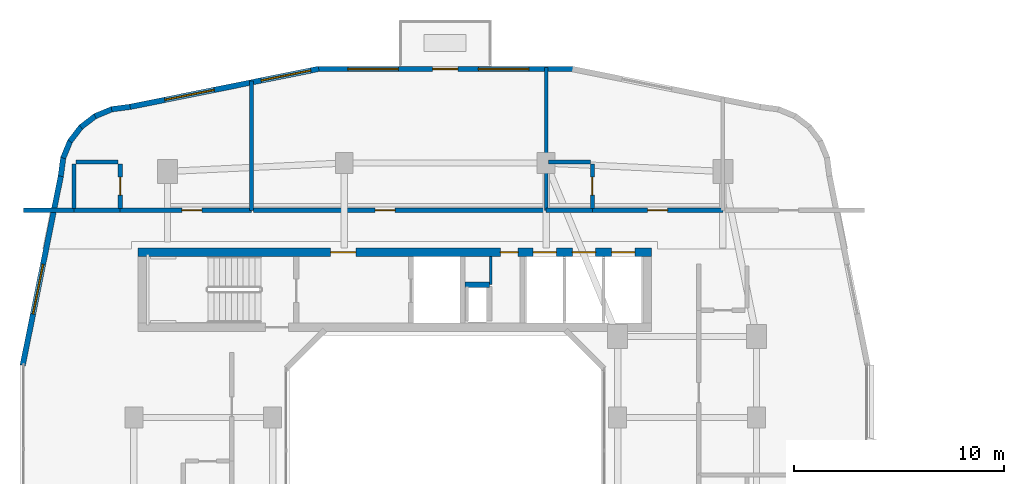
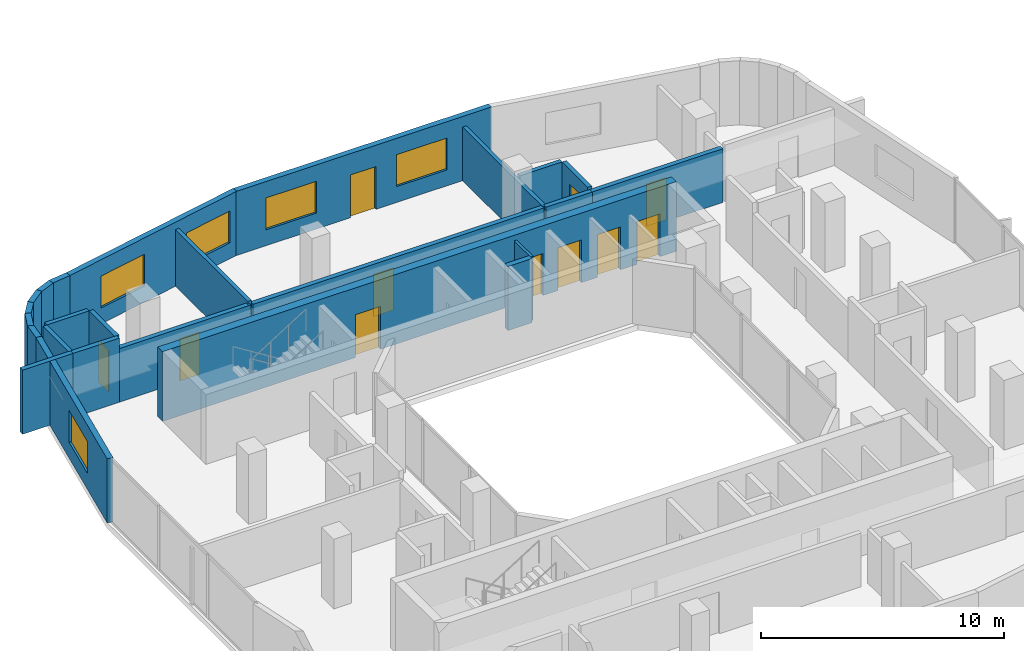
# One storey, part 11 of 22: 25 walls, 11 doors, 5 windows, 16 openings.
"""IFC4 building model written with IfcOpenShell, lengths in metres."""

from ifc_helpers import new_model, si_unit, derived_unit, direction, frame, frame_2d, origin, place, context, subcontext, project, spatial, rectangle, extrude, material, layer, layer_set, type_object, element, fill, save


model = new_model("IFC4")

# Units and contexts
model_context = context("Model", 3, precision=1e-05, world=origin(), true_north=direction((0.0, 1.0)))
body_context = subcontext(model_context, "Body", "Model", "MODEL_VIEW")
ifc_project = project(units=[si_unit("LENGTHUNIT", "METRE"), si_unit("AREAUNIT", "SQUARE_METRE"), si_unit("VOLUMEUNIT", "CUBIC_METRE"), si_unit("PLANEANGLEUNIT", "RADIAN"), si_unit("MASSUNIT", "GRAM", prefix="KILO"), derived_unit("THERMALTRANSMITTANCEUNIT", [(si_unit("POWERUNIT", "WATT"), 1), (si_unit("LENGTHUNIT", "METRE"), -2), (si_unit("THERMODYNAMICTEMPERATUREUNIT", "KELVIN"), -1)])], contexts=[model_context])

# Site, building, storey
site_placement = place(None, origin())
site = spatial("IfcSite", under=ifc_project, at=site_placement, CompositionType="ELEMENT")
building_placement = place(site_placement, origin())
building = spatial("IfcBuilding", under=site, at=building_placement, Name="Kivonza Crest Hotel", CompositionType="ELEMENT")
storey_placement = place(building_placement, frame((0.0, 0.0, 112.5)))
storey = spatial("IfcBuildingStorey", under=building, at=storey_placement, Name="L30", CompositionType="ELEMENT", Elevation=112.5)

# Walls
ifc_material_1 = material(Name="High-density acoustic masonry inter-tenancy wall", Category="masonry")
ifc_layer_1 = layer(ifc_material_1, 0.179931640625)
ifc_layer_set_1 = layer_set([ifc_layer_1], Name="High-density acoustic masonry inter-tenancy wall")
wall_type_1 = type_object("IfcWallType", Name="WL-ACOU-180", PredefinedType="SOLIDWALL", material=ifc_layer_set_1)
wall_1_placement = place(storey_placement, frame((11.800048828125, 38.35009765625, 0.0), z_axis=(0.0, 0.0, 1.0), x_axis=(0.0, 1.0, 0.0)))
element("IfcWall", 1, at=wall_1_placement, inside=storey, type_object=wall_type_1, Name="L30 interior partition WA-L30-T1N-DIV1", PredefinedType="SOLIDWALL", context=body_context, shape_type="SweptSolid", body=[
    extrude(rectangle(XDim=6.156982421875, YDim=0.179931640625, at=frame_2d((3.07861328125, 0.0))), origin(), (0.0, 0.0, 1.0), 2.8349609375),
])
wall_2_placement = place(storey_placement, frame((25.800048828125, 38.35009765625, 0.0), z_axis=(0.0, 0.0, 1.0), x_axis=(0.0, 1.0, 0.0)))
element("IfcWall", 2, at=wall_2_placement, inside=storey, type_object=wall_type_1, Name="L30 interior partition WA-L30-T1N-DIV2", PredefinedType="SOLIDWALL", context=body_context, shape_type="SweptSolid", body=[
    extrude(rectangle(XDim=6.789794921875, YDim=0.179931640625, at=frame_2d((3.39501953125, 0.0))), origin(), (0.0, 0.0, 1.0), 2.695068359375),
])
ifc_material_2 = material(Name="Autoclaved aerated concrete blockwork", Category="masonry")
ifc_layer_2 = layer(ifc_material_2, 0.219970703125)
ifc_layer_set_2 = layer_set([ifc_layer_2], Name="Autoclaved aerated concrete blockwork")
wall_type_2 = type_object("IfcWallType", Name="WL-ACOU-220", PredefinedType="SOLIDWALL", material=ifc_layer_set_2)
wall_3_placement = place(storey_placement, frame((0.9599609375, 38.35009765625, 0.0), z_axis=(0.0, 0.0, 1.0), x_axis=(1.0, 0.0, 0.0)))
element("IfcWall", 3, at=wall_3_placement, inside=storey, type_object=wall_type_2, Name="L30 interior partition WA-L30-N01-XCORR", PredefinedType="SOLIDWALL", context=body_context, shape_type="SweptSolid", body=[
    extrude(rectangle(XDim=2.39013671875, YDim=0.219970703125, at=frame_2d((1.195068359375, 0.0))), origin(), (0.0, 0.0, 1.0), 3.219970703125),
])
wall_4_placement = place(storey_placement, frame((3.35009765625, 38.35009765625, 0.0), z_axis=(0.0, 0.0, 1.0), x_axis=(1.0, 0.0, 0.0)))
element("IfcWall", 4, at=wall_4_placement, inside=storey, type_object=wall_type_2, Name="L30 interior partition WA-L30-N01-BCORR", PredefinedType="SOLIDWALL", context=body_context, shape_type="SweptSolid", body=[
    extrude(rectangle(XDim=2.199951171875, YDim=0.219970703125, at=frame_2d((1.10009765625, 0.0))), origin(), (0.0, 0.0, 1.0), 3.219970703125),
])

# Wall, opening, door
wall_5_placement = place(storey_placement, frame((5.550048828125, 38.35009765625, 0.0), z_axis=(0.0, 0.0, 1.0), x_axis=(1.0, 0.0, 0.0)))
wall_5 = element("IfcWall", 5, at=wall_5_placement, inside=storey, type_object=wall_type_2, Name="L30 interior partition WA-L30-N01-MCORR", PredefinedType="SOLIDWALL", context=body_context, shape_type="SweptSolid", body=[
    extrude(rectangle(XDim=6.25, YDim=0.219970703125, at=frame_2d((3.125, 0.0))), origin(), (0.0, 0.0, 1.0), 2.695068359375),
])
opening_1_placement = place(wall_5_placement, frame((2.929931640625, 0.0, 0.0)))
opening_1 = element("IfcOpeningElement", 6, at=opening_1_placement, cuts=wall_5, Name="Opening DU-60", PredefinedType="OPENING", context=body_context, shape_type="SweptSolid", body=[
    extrude(rectangle(XDim=0.949951171875, YDim=2.10009765625, at=frame_2d((0.47509765625, 1.050048828125))), frame((0.0, 0.1201171875, 0.0), z_axis=(0.0, -1.0, 0.0), x_axis=(1.0, 0.0, 0.0)), (0.0, 0.0, 1.0), 0.239990234375),
])
ifc_material_3 = material(Name="Hardwood timber oak", Category="wood")
door_type_1 = type_object("IfcDoorType", Name="DR-UNIT-950", OperationType="NOTDEFINED", PredefinedType="DOOR", material=ifc_material_3)
door_1_placement = place(opening_1_placement, origin())
door_1 = element("IfcDoor", 7, at=door_1_placement, inside=storey, type_object=door_type_1, Name="L30 N01 guest unit entrance fire door", OperationType="SINGLE_SWING_LEFT", OverallHeight=2.10009765625, OverallWidth=0.949951171875, PredefinedType="DOOR", context=body_context, shape_type="SweptSolid", body=[
    extrude(rectangle(XDim=0.949951171875, YDim=2.10009765625, at=frame_2d((0.47509765625, 1.050048828125))), frame((0.0, 0.02490234375, 0.0), z_axis=(0.0, -1.0, 0.0), x_axis=(1.0, 0.0, 0.0)), (0.0, 0.0, 1.0), 0.050048828125),
])
fill(opening_1, door_1)

wall_6_placement = place(storey_placement, frame((11.89990234375, 38.35009765625, 0.0), z_axis=(0.0, 0.0, 1.0), x_axis=(1.0, 0.0, 0.0)))
wall_6 = element("IfcWall", 8, at=wall_6_placement, inside=storey, type_object=wall_type_2, Name="L30 interior partition WA-L30-HK-MAIN-S", PredefinedType="SOLIDWALL", context=body_context, shape_type="SweptSolid", body=[
    extrude(rectangle(XDim=13.800048828125, YDim=0.219970703125, at=frame_2d((6.89990234375, 0.0))), origin(), (0.0, 0.0, 1.0), 2.695068359375),
])
opening_2_placement = place(wall_6_placement, frame((5.77294921875, 0.0, 0.0)))
opening_2 = element("IfcOpeningElement", 9, at=opening_2_placement, cuts=wall_6, Name="Opening DF-60S", PredefinedType="OPENING", context=body_context, shape_type="SweptSolid", body=[
    extrude(rectangle(XDim=0.949951171875, YDim=2.10009765625, at=frame_2d((0.47509765625, 1.050048828125))), frame((0.0, 0.1201171875, 0.0), z_axis=(0.0, -1.0, 0.0), x_axis=(1.0, 0.0, 0.0)), (0.0, 0.0, 1.0), 0.239990234375),
])
door_type_2 = type_object("IfcDoorType", Name="DR-FD60-950", OperationType="NOTDEFINED", PredefinedType="DOOR", material=ifc_material_3)
door_2_placement = place(opening_2_placement, origin())
door_2 = element("IfcDoor", 10, at=door_2_placement, inside=storey, type_object=door_type_2, Name="L30 Housekeeping and Linen Room door", OperationType="SINGLE_SWING_RIGHT", OverallHeight=2.10009765625, OverallWidth=0.949951171875, PredefinedType="DOOR", context=body_context, shape_type="SweptSolid", body=[
    extrude(rectangle(XDim=0.949951171875, YDim=2.10009765625, at=frame_2d((0.47509765625, 1.050048828125))), frame((0.0, 0.02490234375, 0.0), z_axis=(0.0, -1.0, 0.0), x_axis=(1.0, 0.0, 0.0)), (0.0, 0.0, 1.0), 0.050048828125),
])
fill(opening_2, door_2)

# Wall
wall_7_placement = place(storey_placement, frame((25.800048828125, 38.35009765625, 0.0), z_axis=(0.0, 0.0, 1.0), x_axis=(1.0, 0.0, 0.0)))
element("IfcWall", 11, at=wall_7_placement, inside=storey, type_object=wall_type_2, Name="L30 interior partition WA-L30-N02-BCORR", PredefinedType="SOLIDWALL", context=body_context, shape_type="SweptSolid", body=[
    extrude(rectangle(XDim=2.199951171875, YDim=0.219970703125, at=frame_2d((1.10009765625, 0.0))), origin(), (0.0, 0.0, 1.0), 2.695068359375),
])

# Wall, opening, door
wall_8_placement = place(storey_placement, frame((28.0, 38.35009765625, 0.0), z_axis=(0.0, 0.0, 1.0), x_axis=(1.0, 0.0, 0.0)))
wall_8 = element("IfcWall", 12, at=wall_8_placement, inside=storey, type_object=wall_type_2, Name="L30 interior partition WA-L30-N02-MCORR", PredefinedType="SOLIDWALL", context=body_context, shape_type="SweptSolid", body=[
    extrude(rectangle(XDim=6.199951171875, YDim=0.219970703125, at=frame_2d((3.10009765625, 0.0))), origin(), (0.0, 0.0, 1.0), 2.695068359375),
])
opening_3_placement = place(wall_8_placement, frame((2.625, 0.0, 0.0)))
opening_3 = element("IfcOpeningElement", 13, at=opening_3_placement, cuts=wall_8, Name="Opening DU-60", PredefinedType="OPENING", context=body_context, shape_type="SweptSolid", body=[
    extrude(rectangle(XDim=0.949951171875, YDim=2.10009765625, at=frame_2d((0.47509765625, 1.050048828125))), frame((0.0, 0.1201171875, 0.0), z_axis=(0.0, -1.0, 0.0), x_axis=(1.0, 0.0, 0.0)), (0.0, 0.0, 1.0), 0.239990234375),
])
door_3_placement = place(opening_3_placement, origin())
door_3 = element("IfcDoor", 14, at=door_3_placement, inside=storey, type_object=door_type_1, Name="L30 N02 guest unit entrance fire door", OperationType="SINGLE_SWING_RIGHT", OverallHeight=2.10009765625, OverallWidth=0.949951171875, PredefinedType="DOOR", context=body_context, shape_type="SweptSolid", body=[
    extrude(rectangle(XDim=0.949951171875, YDim=2.10009765625, at=frame_2d((0.47509765625, 1.050048828125))), frame((0.0, 0.02490234375, 0.0), z_axis=(0.0, -1.0, 0.0), x_axis=(1.0, 0.0, 0.0)), (0.0, 0.0, 1.0), 0.050048828125),
])
fill(opening_3, door_3)

# Wall, openings, doors
ifc_material_4 = material(Name="Concrete C50/60", Category="concrete")
ifc_layer_3 = layer(ifc_material_4, 0.39990234375)
ifc_layer_set_3 = layer_set([ifc_layer_3], Name="Concrete C50/60")
wall_type_3 = type_object("IfcWallType", Name="WL-CORE-400", PredefinedType="SHEAR", material=ifc_layer_set_3)
wall_9_placement = place(storey_placement, frame((6.39990234375, 36.360107421875, 0.0), z_axis=(0.0, 0.0, 1.0), x_axis=(1.0, 0.0, 0.0)))
wall_9 = element("IfcWall", 15, at=wall_9_placement, inside=storey, type_object=wall_type_3, Name="Core wall T1-N North L30", PredefinedType="SHEAR", context=body_context, shape_type="SweptSolid", body=[
    extrude(rectangle(XDim=24.400146484375, YDim=0.39990234375, at=frame_2d((12.2001953125, 0.0))), origin(), (0.0, 0.0, 1.0), 3.5),
])
opening_4_placement = place(wall_9_placement, frame((9.14990234375, 0.0, 0.0)))
opening_4 = element("IfcOpeningElement", 16, at=opening_4_placement, cuts=wall_9, Name="Opening DF-60", PredefinedType="OPENING", context=body_context, shape_type="SweptSolid", body=[
    extrude(rectangle(XDim=1.199951171875, YDim=2.14990234375, at=frame_2d((0.60009765625, 1.074951171875))), frame((0.0, 0.2099609375, 0.0), z_axis=(0.0, -1.0, 0.0), x_axis=(1.0, 0.0, 0.0)), (0.0, 0.0, 1.0), 0.419921875),
])
opening_5_placement = place(wall_9_placement, frame((17.219970703125, 0.0, 0.0)))
opening_5 = element("IfcOpeningElement", 17, at=opening_5_placement, cuts=wall_9, Name="Opening DF-60R", PredefinedType="OPENING", context=body_context, shape_type="SweptSolid", body=[
    extrude(rectangle(XDim=0.85009765625, YDim=2.10009765625, at=frame_2d((0.425048828125, 1.050048828125))), frame((0.0, 0.2099609375, 0.0), z_axis=(0.0, -1.0, 0.0), x_axis=(1.0, 0.0, 0.0)), (0.0, 0.0, 1.0), 0.419921875),
])
opening_6_placement = place(wall_9_placement, frame((18.782958984375, 0.0, 0.0)))
opening_6 = element("IfcOpeningElement", 18, at=opening_6_placement, cuts=wall_9, Name="Opening LD-120", PredefinedType="OPENING", context=body_context, shape_type="SweptSolid", body=[
    extrude(rectangle(XDim=1.10009765625, YDim=2.14990234375, at=frame_2d((0.550048828125, 1.074951171875))), frame((0.0, 0.2099609375, 0.0), z_axis=(0.0, -1.0, 0.0), x_axis=(1.0, 0.0, 0.0)), (0.0, 0.0, 1.0), 0.419921875),
])
opening_7_placement = place(wall_9_placement, frame((20.64990234375, 0.0, 0.0)))
opening_7 = element("IfcOpeningElement", 19, at=opening_7_placement, cuts=wall_9, Name="Opening LD-120", PredefinedType="OPENING", context=body_context, shape_type="SweptSolid", body=[
    extrude(rectangle(XDim=1.10009765625, YDim=2.14990234375, at=frame_2d((0.550048828125, 1.074951171875))), frame((0.0, 0.2099609375, 0.0), z_axis=(0.0, -1.0, 0.0), x_axis=(1.0, 0.0, 0.0)), (0.0, 0.0, 1.0), 0.419921875),
])
opening_8_placement = place(wall_9_placement, frame((22.51708984375, 0.0, 0.0)))
opening_8 = element("IfcOpeningElement", 20, at=opening_8_placement, cuts=wall_9, Name="Opening LD-120", PredefinedType="OPENING", context=body_context, shape_type="SweptSolid", body=[
    extrude(rectangle(XDim=1.10009765625, YDim=2.14990234375, at=frame_2d((0.550048828125, 1.074951171875))), frame((0.0, 0.2099609375, 0.0), z_axis=(0.0, -1.0, 0.0), x_axis=(1.0, 0.0, 0.0)), (0.0, 0.0, 1.0), 0.419921875),
])
door_type_3 = type_object("IfcDoorType", Name="DR-FD60-1200", OperationType="NOTDEFINED", PredefinedType="DOOR", material=ifc_material_3)
door_4_placement = place(opening_4_placement, origin())
door_4 = element("IfcDoor", 21, at=door_4_placement, inside=storey, type_object=door_type_3, Name="L30 T1-N firefighting lobby fire door", OperationType="SINGLE_SWING_RIGHT", OverallHeight=2.14990234375, OverallWidth=1.199951171875, PredefinedType="DOOR", context=body_context, shape_type="SweptSolid", body=[
    extrude(rectangle(XDim=1.199951171875, YDim=2.14990234375, at=frame_2d((0.60009765625, 1.074951171875))), frame((0.0, 0.02490234375, 0.0), z_axis=(0.0, -1.0, 0.0), x_axis=(1.0, 0.0, 0.0)), (0.0, 0.0, 1.0), 0.050048828125),
])
fill(opening_4, door_4)
door_type_4 = type_object("IfcDoorType", Name="DR-FD60-850", OperationType="NOTDEFINED", PredefinedType="DOOR", material=ifc_material_3)
door_5_placement = place(opening_5_placement, origin())
door_5 = element("IfcDoor", 22, at=door_5_placement, inside=storey, type_object=door_type_4, Name="L30 T1-N core room door", OperationType="SINGLE_SWING_RIGHT", OverallHeight=2.10009765625, OverallWidth=0.85009765625, PredefinedType="DOOR", context=body_context, shape_type="SweptSolid", body=[
    extrude(rectangle(XDim=0.85009765625, YDim=2.10009765625, at=frame_2d((0.425048828125, 1.050048828125))), frame((0.0, 0.02490234375, 0.0), z_axis=(0.0, -1.0, 0.0), x_axis=(1.0, 0.0, 0.0)), (0.0, 0.0, 1.0), 0.050048828125),
])
fill(opening_5, door_5)
ifc_material_5 = material(Name="Stainless steel", Category="steel")
door_type_5 = type_object("IfcDoorType", Name="DR-LD120-1100", OperationType="NOTDEFINED", PredefinedType="DOOR", material=ifc_material_5)
door_6_placement = place(opening_6_placement, origin())
door_6 = element("IfcDoor", 23, at=door_6_placement, inside=storey, type_object=door_type_5, Name="L30 PL-T1-L1 passenger lift sliding landing door", OperationType="DOUBLE_DOOR_SLIDING", OverallHeight=2.14990234375, OverallWidth=1.10009765625, PredefinedType="DOOR", context=body_context, shape_type="SweptSolid", body=[
    extrude(rectangle(XDim=1.10009765625, YDim=2.14990234375, at=frame_2d((0.550048828125, 1.074951171875))), frame((0.0, 0.02490234375, 0.0), z_axis=(0.0, -1.0, 0.0), x_axis=(1.0, 0.0, 0.0)), (0.0, 0.0, 1.0), 0.050048828125),
])
fill(opening_6, door_6)
door_7_placement = place(opening_7_placement, origin())
door_7 = element("IfcDoor", 24, at=door_7_placement, inside=storey, type_object=door_type_5, Name="L30 PL-T1-L2 passenger lift sliding landing door", OperationType="DOUBLE_DOOR_SLIDING", OverallHeight=2.14990234375, OverallWidth=1.10009765625, PredefinedType="DOOR", context=body_context, shape_type="SweptSolid", body=[
    extrude(rectangle(XDim=1.10009765625, YDim=2.14990234375, at=frame_2d((0.550048828125, 1.074951171875))), frame((0.0, 0.02490234375, 0.0), z_axis=(0.0, -1.0, 0.0), x_axis=(1.0, 0.0, 0.0)), (0.0, 0.0, 1.0), 0.050048828125),
])
fill(opening_7, door_7)
door_8_placement = place(opening_8_placement, origin())
door_8 = element("IfcDoor", 25, at=door_8_placement, inside=storey, type_object=door_type_5, Name="L30 PL-T1-L3 passenger lift sliding landing door", OperationType="DOUBLE_DOOR_SLIDING", OverallHeight=2.14990234375, OverallWidth=1.10009765625, PredefinedType="DOOR", context=body_context, shape_type="SweptSolid", body=[
    extrude(rectangle(XDim=1.10009765625, YDim=2.14990234375, at=frame_2d((0.550048828125, 1.074951171875))), frame((0.0, 0.02490234375, 0.0), z_axis=(0.0, -1.0, 0.0), x_axis=(1.0, 0.0, 0.0)), (0.0, 0.0, 1.0), 0.050048828125),
])
fill(opening_8, door_8)

# Wall, openings, door, windows
ifc_material_6 = material(Name="Precast concrete C40/50", Category="concrete")
ifc_layer_4 = layer(ifc_material_6, 0.260009765625)
ifc_layer_set_4 = layer_set([ifc_layer_4], Name="Precast concrete C40/50")
wall_type_4 = type_object("IfcWallType", Name="WL-EXT-260", PredefinedType="STANDARD", material=ifc_layer_set_4)
wall_10_placement = place(storey_placement, frame((27.0849609375, 45.070068359375, 0.0), z_axis=(0.0, 0.0, 1.0), x_axis=(-1.0, 0.0, 0.0)))
wall_10 = element("IfcWall", 26, at=wall_10_placement, inside=storey, type_object=wall_type_4, Name="L30 T1 exterior insulated wall 26", PredefinedType="STANDARD", context=body_context, shape_type="SweptSolid", body=[
    extrude(rectangle(XDim=12.135009765625, YDim=0.260009765625, at=frame_2d((6.0673828125, 0.0))), origin(), (0.0, 0.0, 1.0), 3.219970703125),
])
opening_9_placement = place(wall_10_placement, frame((5.485107421875, 0.0, 0.0)))
opening_9 = element("IfcOpeningElement", 27, at=opening_9_placement, cuts=wall_10, Name="Opening DT-120", PredefinedType="OPENING", context=body_context, shape_type="SweptSolid", body=[
    extrude(rectangle(XDim=1.199951171875, YDim=2.14990234375, at=frame_2d((0.60009765625, 1.074951171875))), frame((0.0, 0.14013671875, 0.0), z_axis=(0.0, -1.0, 0.0), x_axis=(1.0, 0.0, 0.0)), (0.0, 0.0, 1.0), 0.280029296875),
])
opening_10_placement = place(wall_10_placement, frame((2.110107421875, 0.0, 0.800048828125)))
opening_10 = element("IfcOpeningElement", 28, at=opening_10_placement, cuts=wall_10, Name="Opening WN-05", PredefinedType="OPENING", context=body_context, shape_type="SweptSolid", body=[
    extrude(rectangle(XDim=2.39990234375, YDim=1.60009765625, at=frame_2d((1.199951171875, 0.800048828125))), frame((0.0, 0.14013671875, 0.0), z_axis=(0.0, -1.0, 0.0), x_axis=(1.0, 0.0, 0.0)), (0.0, 0.0, 1.0), 0.280029296875),
])
opening_11_placement = place(wall_10_placement, frame((8.31494140625, 0.0, 0.800048828125)))
opening_11 = element("IfcOpeningElement", 29, at=opening_11_placement, cuts=wall_10, Name="Opening WN-05", PredefinedType="OPENING", context=body_context, shape_type="SweptSolid", body=[
    extrude(rectangle(XDim=2.39990234375, YDim=1.60009765625, at=frame_2d((1.199951171875, 0.800048828125))), frame((0.0, 0.14013671875, 0.0), z_axis=(0.0, -1.0, 0.0), x_axis=(1.0, 0.0, 0.0)), (0.0, 0.0, 1.0), 0.280029296875),
])
ifc_material_7 = material(Name="Anodised bronze aluminium and laminated safety glass", Category="aluminium")
door_type_6 = type_object("IfcDoorType", Name="DR-TERR-1200", OperationType="NOTDEFINED", PredefinedType="DOOR", material=ifc_material_7)
door_9_placement = place(opening_9_placement, frame((1.199951171875, 0.0, 0.0), z_axis=(0.0, 0.0, 1.0), x_axis=(-1.0, 0.0, 0.0)))
door_9 = element("IfcDoor", 30, at=door_9_placement, inside=storey, type_object=door_type_6, Name="T1 L30 NE sky-garden bridge access door", OperationType="SINGLE_SWING_LEFT", OverallHeight=2.14990234375, OverallWidth=1.199951171875, PredefinedType="DOOR", context=body_context, shape_type="SweptSolid", body=[
    extrude(rectangle(XDim=1.199951171875, YDim=2.14990234375, at=frame_2d((0.60009765625, 1.074951171875))), frame((0.0, 0.02490234375, 0.0), z_axis=(0.0, -1.0, 0.0), x_axis=(1.0, 0.0, 0.0)), (0.0, 0.0, 1.0), 0.050048828125),
])
fill(opening_9, door_9)
ifc_material_8 = material(Name="Thermally broken bronze aluminium and low-E double glazing", Category="aluminium")
window_type = type_object("IfcWindowType", Name="WN-240x160", PartitioningType="TRIPLE_PANEL_VERTICAL", PredefinedType="WINDOW", material=ifc_material_8)
window_1_placement = place(opening_10_placement, origin())
window_1 = element("IfcWindow", 31, at=window_1_placement, inside=storey, type_object=window_type, Name="L30 T1 facade window 26 bay 1", OverallHeight=1.60009765625, OverallWidth=2.39990234375, PartitioningType="SINGLE_PANEL", PredefinedType="WINDOW", context=body_context, shape_type="SweptSolid", body=[
    extrude(rectangle(XDim=2.39990234375, YDim=1.60009765625, at=frame_2d((1.199951171875, 0.800048828125))), frame((0.0, 0.030029296875, 0.0), z_axis=(0.0, -1.0, 0.0), x_axis=(1.0, 0.0, 0.0)), (0.0, 0.0, 1.0), 0.06005859375),
])
fill(opening_10, window_1)
window_2_placement = place(opening_11_placement, origin())
window_2 = element("IfcWindow", 32, at=window_2_placement, inside=storey, type_object=window_type, Name="L30 T1 facade window 26 bay 2", OverallHeight=1.60009765625, OverallWidth=2.39990234375, PartitioningType="SINGLE_PANEL", PredefinedType="WINDOW", context=body_context, shape_type="SweptSolid", body=[
    extrude(rectangle(XDim=2.39990234375, YDim=1.60009765625, at=frame_2d((1.199951171875, 0.800048828125))), frame((0.0, 0.030029296875, 0.0), z_axis=(0.0, -1.0, 0.0), x_axis=(1.0, 0.0, 0.0)), (0.0, 0.0, 1.0), 0.06005859375),
])
fill(opening_11, window_2)

# Wall, openings, windows
wall_11_placement = place(storey_placement, frame((14.990966796875, 45.077880859375, 0.0), z_axis=(0.0, 0.0, 1.0), x_axis=(-0.980321298532, -0.197408590603, 0.0)))
wall_11 = element("IfcWall", 33, at=wall_11_placement, inside=storey, type_object=wall_type_4, Name="L30 T1 exterior insulated wall 27", PredefinedType="STANDARD", context=body_context, shape_type="SweptSolid", body=[
    extrude(rectangle(XDim=9.153076171875, YDim=0.260009765625, at=frame_2d((4.57666015625, 0.0))), origin(), (0.0, 0.0, 1.0), 3.219970703125),
])
opening_12_placement = place(wall_11_placement, frame((0.389892578125, 0.0, 0.800048828125)))
opening_12 = element("IfcOpeningElement", 34, at=opening_12_placement, cuts=wall_11, Name="Opening WN-05", PredefinedType="OPENING", context=body_context, shape_type="SweptSolid", body=[
    extrude(rectangle(XDim=2.39990234375, YDim=1.60009765625, at=frame_2d((1.199951171875, 0.800048828125))), frame((0.0, 0.14013671875, 0.0), z_axis=(0.0, -1.0, 0.0), x_axis=(1.0, 0.0, 0.0)), (0.0, 0.0, 1.0), 0.280029296875),
])
opening_13_placement = place(wall_11_placement, frame((5.06591796875, 0.0, 0.800048828125)))
opening_13 = element("IfcOpeningElement", 35, at=opening_13_placement, cuts=wall_11, Name="Opening WN-05", PredefinedType="OPENING", context=body_context, shape_type="SweptSolid", body=[
    extrude(rectangle(XDim=2.39990234375, YDim=1.60009765625, at=frame_2d((1.199951171875, 0.800048828125))), frame((0.0, 0.14013671875, 0.0), z_axis=(0.0, -1.0, 0.0), x_axis=(1.0, 0.0, 0.0)), (0.0, 0.0, 1.0), 0.280029296875),
])
window_3_placement = place(opening_12_placement, origin())
window_3 = element("IfcWindow", 36, at=window_3_placement, inside=storey, type_object=window_type, Name="L30 T1 facade window 27 bay 1", OverallHeight=1.60009765625, OverallWidth=2.39990234375, PartitioningType="SINGLE_PANEL", PredefinedType="WINDOW", context=body_context, shape_type="SweptSolid", body=[
    extrude(rectangle(XDim=2.39990234375, YDim=1.60009765625, at=frame_2d((1.199951171875, 0.800048828125))), frame((0.0, 0.030029296875, 0.0), z_axis=(0.0, -1.0, 0.0), x_axis=(1.0, 0.0, 0.0)), (0.0, 0.0, 1.0), 0.06005859375),
])
fill(opening_12, window_3)
window_4_placement = place(opening_13_placement, origin())
window_4 = element("IfcWindow", 37, at=window_4_placement, inside=storey, type_object=window_type, Name="L30 T1 facade window 27 bay 2", OverallHeight=1.60009765625, OverallWidth=2.39990234375, PartitioningType="SINGLE_PANEL", PredefinedType="WINDOW", context=body_context, shape_type="SweptSolid", body=[
    extrude(rectangle(XDim=2.39990234375, YDim=1.60009765625, at=frame_2d((1.199951171875, 0.800048828125))), frame((0.0, 0.030029296875, 0.0), z_axis=(0.0, -1.0, 0.0), x_axis=(1.0, 0.0, 0.0)), (0.0, 0.0, 1.0), 0.06005859375),
])
fill(opening_13, window_4)

# Walls
wall_12_placement = place(storey_placement, frame((6.02490234375, 43.27197265625, 0.0), z_axis=(0.0, 0.0, 1.0), x_axis=(-0.991388484223, -0.130953706898, 0.0)))
element("IfcWall", 38, at=wall_12_placement, inside=storey, type_object=wall_type_4, Name="L30 T1 exterior insulated wall 28", PredefinedType="STANDARD", context=body_context, shape_type="SweptSolid", body=[
    extrude(rectangle(XDim=0.885498046875, YDim=0.260009765625, at=frame_2d((0.44287109375, 0.0))), origin(), (0.0, 0.0, 1.0), 3.219970703125),
])
wall_13_placement = place(storey_placement, frame((5.193115234375, 43.174072265625, 0.0), z_axis=(0.0, 0.0, 1.0), x_axis=(-0.923627776508, -0.383290660547, 0.0)))
element("IfcWall", 39, at=wall_13_placement, inside=storey, type_object=wall_type_4, Name="L30 T1 exterior insulated wall 29", PredefinedType="STANDARD", context=body_context, shape_type="SweptSolid", body=[
    extrude(rectangle(XDim=0.9033203125, YDim=0.260009765625, at=frame_2d((0.45166015625, 0.0))), origin(), (0.0, 0.0, 1.0), 3.219970703125),
])
wall_14_placement = place(storey_placement, frame((4.39892578125, 42.85595703125, 0.0), z_axis=(0.0, 0.0, 1.0), x_axis=(-0.793458244748, -0.608624690463, 0.0)))
element("IfcWall", 40, at=wall_14_placement, inside=storey, type_object=wall_type_4, Name="L30 T1 exterior insulated wall 30", PredefinedType="STANDARD", context=body_context, shape_type="SweptSolid", body=[
    extrude(rectangle(XDim=0.902099609375, YDim=0.260009765625, at=frame_2d((0.451171875, 0.0))), origin(), (0.0, 0.0, 1.0), 3.219970703125),
])
wall_15_placement = place(storey_placement, frame((3.714111328125, 42.344970703125, 0.0), z_axis=(0.0, 0.0, 1.0), x_axis=(-0.608494022858, -0.793558456666, 0.0)))
element("IfcWall", 41, at=wall_15_placement, inside=storey, type_object=wall_type_4, Name="L30 T1 exterior insulated wall 31", PredefinedType="STANDARD", context=body_context, shape_type="SweptSolid", body=[
    extrude(rectangle(XDim=0.90234375, YDim=0.260009765625, at=frame_2d((0.451171875, 0.0))), origin(), (0.0, 0.0, 1.0), 3.219970703125),
])
wall_16_placement = place(storey_placement, frame((3.18603515625, 41.673095703125, 0.0), z_axis=(0.0, 0.0, 1.0), x_axis=(-0.383155708213, -0.923683767999, 0.0)))
element("IfcWall", 42, at=wall_16_placement, inside=storey, type_object=wall_type_4, Name="L30 T1 exterior insulated wall 32", PredefinedType="STANDARD", context=body_context, shape_type="SweptSolid", body=[
    extrude(rectangle(XDim=0.90283203125, YDim=0.260009765625, at=frame_2d((0.451416015625, 0.0))), origin(), (0.0, 0.0, 1.0), 3.219970703125),
])
wall_17_placement = place(storey_placement, frame((2.847900390625, 40.887939453125, 0.0), z_axis=(0.0, 0.0, 1.0), x_axis=(-0.130200706103, -0.991487658083, 0.0)))
element("IfcWall", 43, at=wall_17_placement, inside=storey, type_object=wall_type_4, Name="L30 T1 exterior insulated wall 33", PredefinedType="STANDARD", context=body_context, shape_type="SweptSolid", body=[
    extrude(rectangle(XDim=0.920654296875, YDim=0.260009765625, at=frame_2d((0.46044921875, 0.0))), origin(), (0.0, 0.0, 1.0), 3.219970703125),
])

# Wall, opening, window
wall_18_placement = place(storey_placement, frame((2.72900390625, 39.98193359375, 0.0), z_axis=(0.0, 0.0, 1.0), x_axis=(-0.197435082048, -0.980315963543, 0.0)))
wall_18 = element("IfcWall", 44, at=wall_18_placement, inside=storey, type_object=wall_type_4, Name="L30 T1 exterior insulated wall 34", PredefinedType="STANDARD", context=body_context, shape_type="SweptSolid", body=[
    extrude(rectangle(XDim=9.1826171875, YDim=0.260009765625, at=frame_2d((4.59130859375, 0.0))), origin(), (0.0, 0.0, 1.0), 3.219970703125),
])
opening_14_placement = place(wall_18_placement, frame((4.285888671875, 0.0, 0.800048828125)))
opening_14 = element("IfcOpeningElement", 45, at=opening_14_placement, cuts=wall_18, Name="Opening WN-05", PredefinedType="OPENING", context=body_context, shape_type="SweptSolid", body=[
    extrude(rectangle(XDim=2.39990234375, YDim=1.60009765625, at=frame_2d((1.199951171875, 0.800048828125))), frame((0.0, 0.14013671875, 0.0), z_axis=(0.0, -1.0, 0.0), x_axis=(1.0, 0.0, 0.0)), (0.0, 0.0, 1.0), 0.280029296875),
])
window_5_placement = place(opening_14_placement, origin())
window_5 = element("IfcWindow", 46, at=window_5_placement, inside=storey, type_object=window_type, Name="L30 T1 facade window 34", OverallHeight=1.60009765625, OverallWidth=2.39990234375, PartitioningType="SINGLE_PANEL", PredefinedType="WINDOW", context=body_context, shape_type="SweptSolid", body=[
    extrude(rectangle(XDim=2.39990234375, YDim=1.60009765625, at=frame_2d((1.199951171875, 0.800048828125))), frame((0.0, 0.030029296875, 0.0), z_axis=(0.0, -1.0, 0.0), x_axis=(1.0, 0.0, 0.0)), (0.0, 0.0, 1.0), 0.06005859375),
])
fill(opening_14, window_5)

# Walls
ifc_material_9 = material(Name="Concrete blockwork fire-compartment wall", Category="masonry")
ifc_layer_5 = layer(ifc_material_9, 0.25)
ifc_layer_set_5 = layer_set([ifc_layer_5], Name="Concrete blockwork fire-compartment wall")
wall_type_5 = type_object("IfcWallType", Name="WL-FIRE-250", PredefinedType="SOLIDWALL", material=ifc_layer_set_5)
wall_19_placement = place(storey_placement, frame((21.949951171875, 34.820068359375, 0.0), z_axis=(0.0, 0.0, 1.0), x_axis=(1.0, 0.0, 0.0)))
element("IfcWall", 47, at=wall_19_placement, inside=storey, type_object=wall_type_5, Name="L30 interior partition WA-L30-T1-N-MEPR-H", PredefinedType="SOLIDWALL", context=body_context, shape_type="SweptSolid", body=[
    extrude(rectangle(XDim=1.150146484375, YDim=0.25, at=frame_2d((0.5751953125, 0.0))), origin(), (0.0, 0.0, 1.0), 3.219970703125),
])
ifc_material_10 = material(Name="Metal-stud gypsum board partition", Category="gypsum")
ifc_layer_6 = layer(ifc_material_10, 0.125)
ifc_layer_set_6 = layer_set([ifc_layer_6], Name="Metal-stud gypsum board partition")
wall_type_6 = type_object("IfcWallType", Name="WL-PART-125", PredefinedType="PARTITIONING", material=ifc_layer_set_6)
wall_20_placement = place(storey_placement, frame((23.159912109375, 34.820068359375, 0.0), z_axis=(0.0, 0.0, 1.0), x_axis=(0.0, 1.0, 0.0)))
element("IfcWall", 48, at=wall_20_placement, inside=storey, type_object=wall_type_6, Name="L30 interior partition WP-L30-T1-N-SV1V", PredefinedType="PARTITIONING", context=body_context, shape_type="SweptSolid", body=[
    extrude(rectangle(XDim=1.33984375, YDim=0.125, at=frame_2d((0.669921875, 0.0))), origin(), (0.0, 0.0, 1.0), 3.219970703125),
])

# Wall, opening, door
ifc_material_11 = material(Name="Moisture-resistant plumbing chase partition wall", Category="gypsum")
ifc_layer_7 = layer(ifc_material_11, 0.199951171875)
ifc_layer_set_7 = layer_set([ifc_layer_7], Name="Moisture-resistant plumbing chase partition wall")
wall_type_7 = type_object("IfcWallType", Name="WL-PLUMB-200", PredefinedType="PLUMBINGWALL", material=ifc_layer_set_7)
wall_21_placement = place(storey_placement, frame((5.550048828125, 38.449951171875, 0.0), z_axis=(0.0, 0.0, 1.0), x_axis=(0.0, 1.0, 0.0)))
wall_21 = element("IfcWall", 49, at=wall_21_placement, inside=storey, type_object=wall_type_7, Name="L30 interior partition WW-L30-N01-BV", PredefinedType="PLUMBINGWALL", context=body_context, shape_type="SweptSolid", body=[
    extrude(rectangle(XDim=2.10009765625, YDim=0.199951171875, at=frame_2d((1.050048828125, 0.0))), origin(), (0.0, 0.0, 1.0), 3.219970703125),
])
opening_15_placement = place(wall_21_placement, frame((0.625, 0.0, 0.0)))
opening_15 = element("IfcOpeningElement", 50, at=opening_15_placement, cuts=wall_21, Name="Opening DI-85", PredefinedType="OPENING", context=body_context, shape_type="SweptSolid", body=[
    extrude(rectangle(XDim=0.85009765625, YDim=2.10009765625, at=frame_2d((0.425048828125, 1.050048828125))), frame((0.0, 0.10986328125, 0.0), z_axis=(0.0, -1.0, 0.0), x_axis=(1.0, 0.0, 0.0)), (0.0, 0.0, 1.0), 0.219970703125),
])
door_type_7 = type_object("IfcDoorType", Name="DR-INT-850", OperationType="NOTDEFINED", PredefinedType="DOOR", material=ifc_material_3)
door_10_placement = place(opening_15_placement, frame((0.85009765625, 0.0, 0.0), z_axis=(0.0, 0.0, 1.0), x_axis=(-1.0, 0.0, 0.0)))
door_10 = element("IfcDoor", 51, at=door_10_placement, inside=storey, type_object=door_type_7, Name="L30 N01 en-suite bathroom door", OperationType="SINGLE_SWING_RIGHT", OverallHeight=2.10009765625, OverallWidth=0.85009765625, PredefinedType="DOOR", context=body_context, shape_type="SweptSolid", body=[
    extrude(rectangle(XDim=0.85009765625, YDim=2.10009765625, at=frame_2d((0.425048828125, 1.050048828125))), frame((0.0, 0.02490234375, 0.0), z_axis=(0.0, -1.0, 0.0), x_axis=(1.0, 0.0, 0.0)), (0.0, 0.0, 1.0), 0.050048828125),
])
fill(opening_15, door_10)

# Walls
wall_22_placement = place(storey_placement, frame((3.449951171875, 40.64990234375, 0.0), z_axis=(0.0, 0.0, 1.0), x_axis=(1.0, 0.0, 0.0)))
element("IfcWall", 52, at=wall_22_placement, inside=storey, type_object=wall_type_7, Name="L30 interior partition WW-L30-N01-BH", PredefinedType="PLUMBINGWALL", context=body_context, shape_type="SweptSolid", body=[
    extrude(rectangle(XDim=2.0, YDim=0.199951171875, at=frame_2d((1.0, 0.0))), origin(), (0.0, 0.0, 1.0), 3.219970703125),
])
wall_23_placement = place(storey_placement, frame((3.35009765625, 38.449951171875, 0.0), z_axis=(0.0, 0.0, 1.0), x_axis=(0.0, 1.0, 0.0)))
element("IfcWall", 53, at=wall_23_placement, inside=storey, type_object=wall_type_7, Name="L30 interior partition WW-L30-N01-BVW", PredefinedType="PLUMBINGWALL", context=body_context, shape_type="SweptSolid", body=[
    extrude(rectangle(XDim=2.10009765625, YDim=0.199951171875, at=frame_2d((1.050048828125, 0.0))), origin(), (0.0, 0.0, 1.0), 3.219970703125),
])

# Wall, opening, door
wall_24_placement = place(storey_placement, frame((28.0, 38.449951171875, 0.0), z_axis=(0.0, 0.0, 1.0), x_axis=(0.0, 1.0, 0.0)))
wall_24 = element("IfcWall", 54, at=wall_24_placement, inside=storey, type_object=wall_type_7, Name="L30 interior partition WW-L30-N02-BV", PredefinedType="PLUMBINGWALL", context=body_context, shape_type="SweptSolid", body=[
    extrude(rectangle(XDim=2.10009765625, YDim=0.199951171875, at=frame_2d((1.050048828125, 0.0))), origin(), (0.0, 0.0, 1.0), 2.8349609375),
])
opening_16_placement = place(wall_24_placement, frame((0.625, 0.0, 0.0)))
opening_16 = element("IfcOpeningElement", 55, at=opening_16_placement, cuts=wall_24, Name="Opening DI-85", PredefinedType="OPENING", context=body_context, shape_type="SweptSolid", body=[
    extrude(rectangle(XDim=0.85009765625, YDim=2.10009765625, at=frame_2d((0.425048828125, 1.050048828125))), frame((0.0, 0.10986328125, 0.0), z_axis=(0.0, -1.0, 0.0), x_axis=(1.0, 0.0, 0.0)), (0.0, 0.0, 1.0), 0.219970703125),
])
door_11_placement = place(opening_16_placement, frame((0.85009765625, 0.0, 0.0), z_axis=(0.0, 0.0, 1.0), x_axis=(-1.0, 0.0, 0.0)))
door_11 = element("IfcDoor", 56, at=door_11_placement, inside=storey, type_object=door_type_7, Name="L30 N02 en-suite bathroom door", OperationType="SINGLE_SWING_LEFT", OverallHeight=2.10009765625, OverallWidth=0.85009765625, PredefinedType="DOOR", context=body_context, shape_type="SweptSolid", body=[
    extrude(rectangle(XDim=0.85009765625, YDim=2.10009765625, at=frame_2d((0.425048828125, 1.050048828125))), frame((0.0, 0.02490234375, 0.0), z_axis=(0.0, -1.0, 0.0), x_axis=(1.0, 0.0, 0.0)), (0.0, 0.0, 1.0), 0.050048828125),
])
fill(opening_16, door_11)

# Wall
wall_25_placement = place(storey_placement, frame((25.89990234375, 40.64990234375, 0.0), z_axis=(0.0, 0.0, 1.0), x_axis=(1.0, 0.0, 0.0)))
element("IfcWall", 57, at=wall_25_placement, inside=storey, type_object=wall_type_7, Name="L30 interior partition WW-L30-N02-BH", PredefinedType="PLUMBINGWALL", context=body_context, shape_type="SweptSolid", body=[
    extrude(rectangle(XDim=2.0, YDim=0.199951171875, at=frame_2d((1.0, 0.0))), origin(), (0.0, 0.0, 1.0), 2.8349609375),
])

save(model, "model.ifc")
